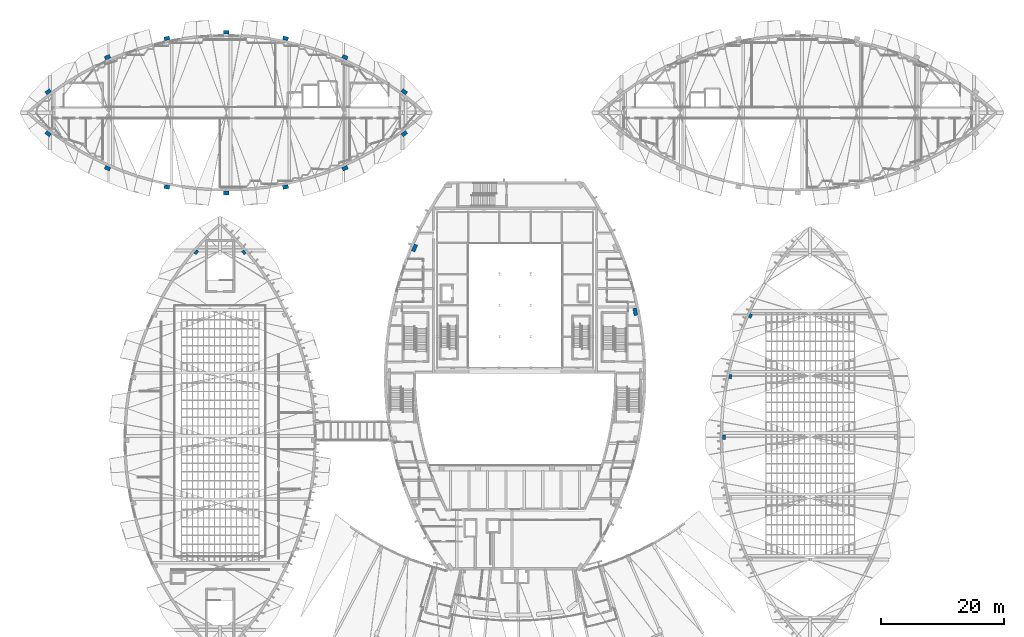
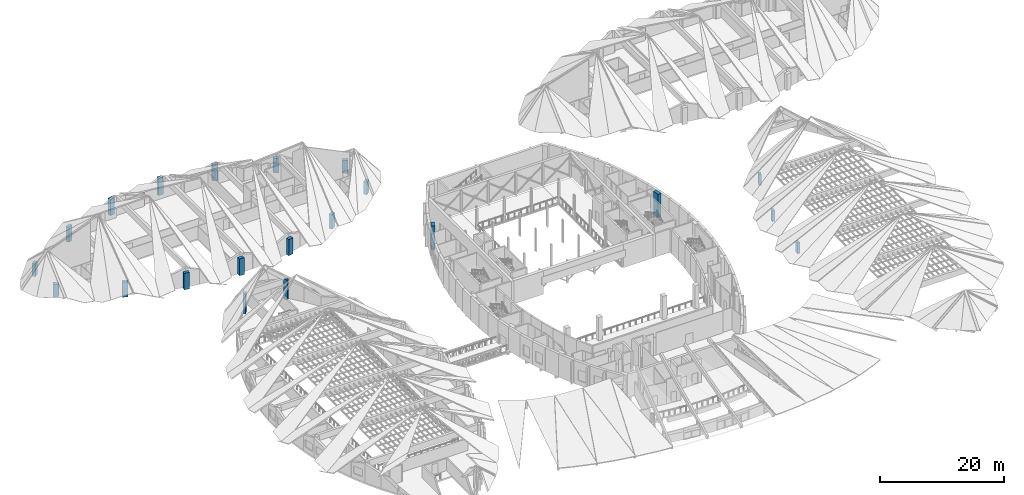
# One storey, part 3 of 56: 21 columns.
"""IFC4 building model written with IfcOpenShell, lengths in metres."""

from ifc_helpers import new_model, si_unit, direction, frame, origin, origin_2d, place, context, subcontext, project, spatial, rectangle, extrude, material, material_profile, profile_set, type_object, element, save


model = new_model("IFC4")

# Units and contexts
model_context = context("Model", 3, precision=1e-05, world=origin(), true_north=direction((0.0, 1.0)))
body_context = subcontext(model_context, "Body", "Model", "MODEL_VIEW")
ifc_project = project(units=[si_unit("LENGTHUNIT", "METRE"), si_unit("AREAUNIT", "SQUARE_METRE"), si_unit("VOLUMEUNIT", "CUBIC_METRE"), si_unit("PLANEANGLEUNIT", "RADIAN"), si_unit("MASSUNIT", "GRAM", prefix="KILO")], contexts=[model_context])

# Site, building, storey
site_placement = place(None, origin())
site = spatial("IfcSite", under=ifc_project, at=site_placement, CompositionType="ELEMENT")
building_placement = place(site_placement, origin())
building = spatial("IfcBuilding", under=site, at=building_placement, Name="Tide Square Theatres", CompositionType="ELEMENT")
storey_placement = place(building_placement, frame((0.0, 0.0, 10.199951171875)))
storey = spatial("IfcBuildingStorey", under=building, at=storey_placement, Name="L02", CompositionType="ELEMENT", Elevation=10.199951171875)

# Columns
ifc_material_1 = material(Name="Concrete C40", Category="concrete")
ifc_material_profile_1 = material_profile(ifc_material_1, rectangle(XDim=1.199951171875, YDim=0.60009765625, at=origin_2d()))
ifc_profile_set_1 = profile_set([ifc_material_profile_1], Name="Concrete C40")
column_type_1 = type_object("IfcColumnType", Name="RC pier 1200 x 600", PredefinedType="PILASTER", material=ifc_profile_set_1)
for number, where, z_axis, x_axis, name in (
    (1, (103.556884765625, 65.41357421875, 0.0), (0.0, 0.0, 1.0), (-0.171172540003, 0.985241067734, 0.0), "Rib foot pier"),
    (2, (67.64013671875, 75.7880859375, 0.0), (0.0, 0.0, 1.0), (-0.416344267901, -0.90920704495, 0.0), "Rib foot pier"),
):
    element("IfcColumn", number, at=place(storey_placement, frame(where, z_axis=z_axis, x_axis=x_axis)), inside=storey, type_object=column_type_1, Name=name, PredefinedType="PILASTER", context=body_context, shape_type="SweptSolid", body=[
        extrude(rectangle(XDim=1.199951171875, YDim=0.60009765625, at=origin_2d()), origin(), (0.0, 0.0, 1.0), 4.60009765625),
    ])
ifc_material_2 = material(Name="Concrete C40", Category="concrete")
ifc_material_profile_2 = material_profile(ifc_material_2, rectangle(XDim=0.699951171875, YDim=0.449951171875, at=origin_2d()))
ifc_profile_set_2 = profile_set([ifc_material_profile_2], Name="Concrete C40")
column_type_2 = type_object("IfcColumnType", Name="RC pier 700 x 450", PredefinedType="PILASTER", material=ifc_profile_set_2)
for number, where, z_axis, x_axis, name in (
    (3, (39.86279296875, 75.09619140625, 0.0), (0.0, 0.0, 1.0), (-0.646183644891, 0.763181955418, 0.0), "Studio Theatre wall pier"),
    (4, (32.13720703125, 75.09619140625, 0.0), (0.0, 0.0, 1.0), (-0.646183644891, -0.763181955418, 0.0), "Studio Theatre wall pier"),
):
    element("IfcColumn", number, at=place(storey_placement, frame(where, z_axis=z_axis, x_axis=x_axis)), inside=storey, type_object=column_type_2, Name=name, PredefinedType="PILASTER", context=body_context, shape_type="SweptSolid", body=[
        extrude(rectangle(XDim=0.699951171875, YDim=0.449951171875, at=origin_2d()), origin(), (0.0, 0.0, 1.0), 3.923828125),
    ])
column_1_placement = place(storey_placement, frame((117.998046875, 45.0, 0.0), z_axis=(0.0, 0.0, 1.0), x_axis=(0.0, -1.0, 0.0)))
element("IfcColumn", 5, at=column_1_placement, inside=storey, type_object=column_type_2, Name="Black Box Theatre wall pier", PredefinedType="PILASTER", context=body_context, shape_type="SweptSolid", body=[
    extrude(rectangle(XDim=0.699951171875, YDim=0.449951171875, at=origin_2d()), origin(), (0.0, 0.0, 1.0), 2.16552734375),
])
column_2_placement = place(storey_placement, frame((119.037353515625, 54.869384765625, 0.0), z_axis=(0.0, 0.0, 1.0), x_axis=(-0.20956121082, -0.977795530221, 0.0)))
element("IfcColumn", 6, at=column_2_placement, inside=storey, type_object=column_type_2, Name="Black Box Theatre wall pier", PredefinedType="PILASTER", context=body_context, shape_type="SweptSolid", body=[
    extrude(rectangle(XDim=0.699951171875, YDim=0.449951171875, at=origin_2d()), origin(), (0.0, 0.0, 1.0), 2.166259765625),
])
column_3_placement = place(storey_placement, frame((122.305908203125, 64.738525390625, 0.0), z_axis=(0.0, 0.0, 1.0), x_axis=(-0.419559661178, -0.907727762444, 0.0)))
element("IfcColumn", 7, at=column_3_placement, inside=storey, type_object=column_type_2, Name="Black Box Theatre wall pier", PredefinedType="PILASTER", context=body_context, shape_type="SweptSolid", body=[
    extrude(rectangle(XDim=0.699951171875, YDim=0.449951171875, at=origin_2d()), origin(), (0.0, 0.0, 1.0), 2.1494140625),
])
ifc_material_3 = material(Name="Concrete C40", Category="concrete")
ifc_material_profile_3 = material_profile(ifc_material_3, rectangle(XDim=0.89990234375, YDim=0.60009765625, at=origin_2d()))
ifc_profile_set_3 = profile_set([ifc_material_profile_3], Name="Concrete C40")
column_type_3 = type_object("IfcColumnType", Name="RC pier 900 x 600", PredefinedType="PILASTER", material=ifc_profile_set_3)
column_4_placement = place(storey_placement, frame((8.02099609375, 94.390625, 0.0), z_axis=(0.0, 0.0, 1.0), x_axis=(0.80192785119, -0.597420891403, 0.0)))
element("IfcColumn", 8, at=column_4_placement, inside=storey, type_object=column_type_3, Name="Scenery Workshops rib pier 1", PredefinedType="PILASTER", context=body_context, shape_type="SweptSolid", body=[
    extrude(rectangle(XDim=0.89990234375, YDim=0.60009765625, at=origin_2d()), origin(), (0.0, 0.0, 1.0), 2.507080078125),
])
column_5_placement = place(storey_placement, frame((17.678955078125, 88.76416015625, 0.0), z_axis=(0.0, 0.0, 1.0), x_axis=(0.915419314521, -0.402501526211, 0.0)))
element("IfcColumn", 9, at=column_5_placement, inside=storey, type_object=column_type_3, Name="Scenery Workshops rib pier 2", PredefinedType="PILASTER", context=body_context, shape_type="SweptSolid", body=[
    extrude(rectangle(XDim=0.89990234375, YDim=0.60009765625, at=origin_2d()), origin(), (0.0, 0.0, 1.0), 2.976806640625),
])
column_6_placement = place(storey_placement, frame((27.339599609375, 85.707275390625, 0.0), z_axis=(0.0, 0.0, 1.0), x_axis=(0.979575047818, -0.201078904144, 0.0)))
element("IfcColumn", 10, at=column_6_placement, inside=storey, type_object=column_type_3, Name="Scenery Workshops rib pier 3", PredefinedType="PILASTER", context=body_context, shape_type="SweptSolid", body=[
    extrude(rectangle(XDim=0.89990234375, YDim=0.60009765625, at=origin_2d()), origin(), (0.0, 0.0, 1.0), 3.2451171875),
])
column_7_placement = place(storey_placement, frame((37.0, 84.731201171875, 0.0), z_axis=(0.0, 0.0, 1.0), x_axis=(1.0, 0.0, 0.0)))
element("IfcColumn", 11, at=column_7_placement, inside=storey, type_object=column_type_3, Name="Scenery Workshops rib pier 4", PredefinedType="PILASTER", context=body_context, shape_type="SweptSolid", body=[
    extrude(rectangle(XDim=0.89990234375, YDim=0.60009765625, at=origin_2d()), origin(), (0.0, 0.0, 1.0), 3.338134765625),
])
column_8_placement = place(storey_placement, frame((46.660400390625, 85.707275390625, 0.0), z_axis=(0.0, 0.0, 1.0), x_axis=(0.979575047818, 0.201078904144, 0.0)))
element("IfcColumn", 12, at=column_8_placement, inside=storey, type_object=column_type_3, Name="Scenery Workshops rib pier 5", PredefinedType="PILASTER", context=body_context, shape_type="SweptSolid", body=[
    extrude(rectangle(XDim=0.89990234375, YDim=0.60009765625, at=origin_2d()), origin(), (0.0, 0.0, 1.0), 3.1982421875),
])
column_9_placement = place(storey_placement, frame((56.321044921875, 88.76416015625, 0.0), z_axis=(0.0, 0.0, 1.0), x_axis=(0.915419314521, 0.402501526211, 0.0)))
element("IfcColumn", 13, at=column_9_placement, inside=storey, type_object=column_type_3, Name="Scenery Workshops rib pier 6", PredefinedType="PILASTER", context=body_context, shape_type="SweptSolid", body=[
    extrude(rectangle(XDim=0.89990234375, YDim=0.60009765625, at=origin_2d()), origin(), (0.0, 0.0, 1.0), 2.858642578125),
])
for number, where, z_axis, x_axis, name in (
    (14, (65.97900390625, 94.390625, 0.0), (0.0, 0.0, 1.0), (0.80192785119, 0.597420891403, 0.0), "Scenery Workshops rib pier 7"),
    (15, (8.02099609375, 101.20947265625, 0.0), (0.0, 0.0, 1.0), (-0.80192785119, -0.597420891403, 0.0), "Scenery Workshops rib pier 8"),
):
    element("IfcColumn", number, at=place(storey_placement, frame(where, z_axis=z_axis, x_axis=x_axis)), inside=storey, type_object=column_type_3, Name=name, PredefinedType="PILASTER", context=body_context, shape_type="SweptSolid", body=[
        extrude(rectangle(XDim=0.89990234375, YDim=0.60009765625, at=origin_2d()), origin(), (0.0, 0.0, 1.0), 2.507080078125),
    ])
column_10_placement = place(storey_placement, frame((17.678955078125, 106.8359375, 0.0), z_axis=(0.0, 0.0, 1.0), x_axis=(-0.915419314521, -0.402501526211, 0.0)))
element("IfcColumn", 16, at=column_10_placement, inside=storey, type_object=column_type_3, Name="Scenery Workshops rib pier 9", PredefinedType="PILASTER", context=body_context, shape_type="SweptSolid", body=[
    extrude(rectangle(XDim=0.89990234375, YDim=0.60009765625, at=origin_2d()), origin(), (0.0, 0.0, 1.0), 2.976806640625),
])
column_11_placement = place(storey_placement, frame((27.339599609375, 109.892822265625, 0.0), z_axis=(0.0, 0.0, 1.0), x_axis=(-0.979575047818, -0.201078904144, 0.0)))
element("IfcColumn", 17, at=column_11_placement, inside=storey, type_object=column_type_3, Name="Scenery Workshops rib pier 10", PredefinedType="PILASTER", context=body_context, shape_type="SweptSolid", body=[
    extrude(rectangle(XDim=0.89990234375, YDim=0.60009765625, at=origin_2d()), origin(), (0.0, 0.0, 1.0), 3.2451171875),
])
column_12_placement = place(storey_placement, frame((37.0, 110.86865234375, 0.0), z_axis=(0.0, 0.0, 1.0), x_axis=(-1.0, 0.0, 0.0)))
element("IfcColumn", 18, at=column_12_placement, inside=storey, type_object=column_type_3, Name="Scenery Workshops rib pier 11", PredefinedType="PILASTER", context=body_context, shape_type="SweptSolid", body=[
    extrude(rectangle(XDim=0.89990234375, YDim=0.60009765625, at=origin_2d()), origin(), (0.0, 0.0, 1.0), 3.338134765625),
])
column_13_placement = place(storey_placement, frame((46.660400390625, 109.892822265625, 0.0), z_axis=(0.0, 0.0, 1.0), x_axis=(-0.979575047818, 0.201078904144, 0.0)))
element("IfcColumn", 19, at=column_13_placement, inside=storey, type_object=column_type_3, Name="Scenery Workshops rib pier 12", PredefinedType="PILASTER", context=body_context, shape_type="SweptSolid", body=[
    extrude(rectangle(XDim=0.89990234375, YDim=0.60009765625, at=origin_2d()), origin(), (0.0, 0.0, 1.0), 3.1982421875),
])
column_14_placement = place(storey_placement, frame((56.321044921875, 106.8359375, 0.0), z_axis=(0.0, 0.0, 1.0), x_axis=(-0.915419314521, 0.402501526211, 0.0)))
element("IfcColumn", 20, at=column_14_placement, inside=storey, type_object=column_type_3, Name="Scenery Workshops rib pier 13", PredefinedType="PILASTER", context=body_context, shape_type="SweptSolid", body=[
    extrude(rectangle(XDim=0.89990234375, YDim=0.60009765625, at=origin_2d()), origin(), (0.0, 0.0, 1.0), 2.858642578125),
])
column_15_placement = place(storey_placement, frame((65.97900390625, 101.20947265625, 0.0), z_axis=(0.0, 0.0, 1.0), x_axis=(-0.80192785119, 0.597420891403, 0.0)))
element("IfcColumn", 21, at=column_15_placement, inside=storey, type_object=column_type_3, Name="Scenery Workshops rib pier 14", PredefinedType="PILASTER", context=body_context, shape_type="SweptSolid", body=[
    extrude(rectangle(XDim=0.89990234375, YDim=0.60009765625, at=origin_2d()), origin(), (0.0, 0.0, 1.0), 2.507080078125),
])

save(model, "model.ifc")
